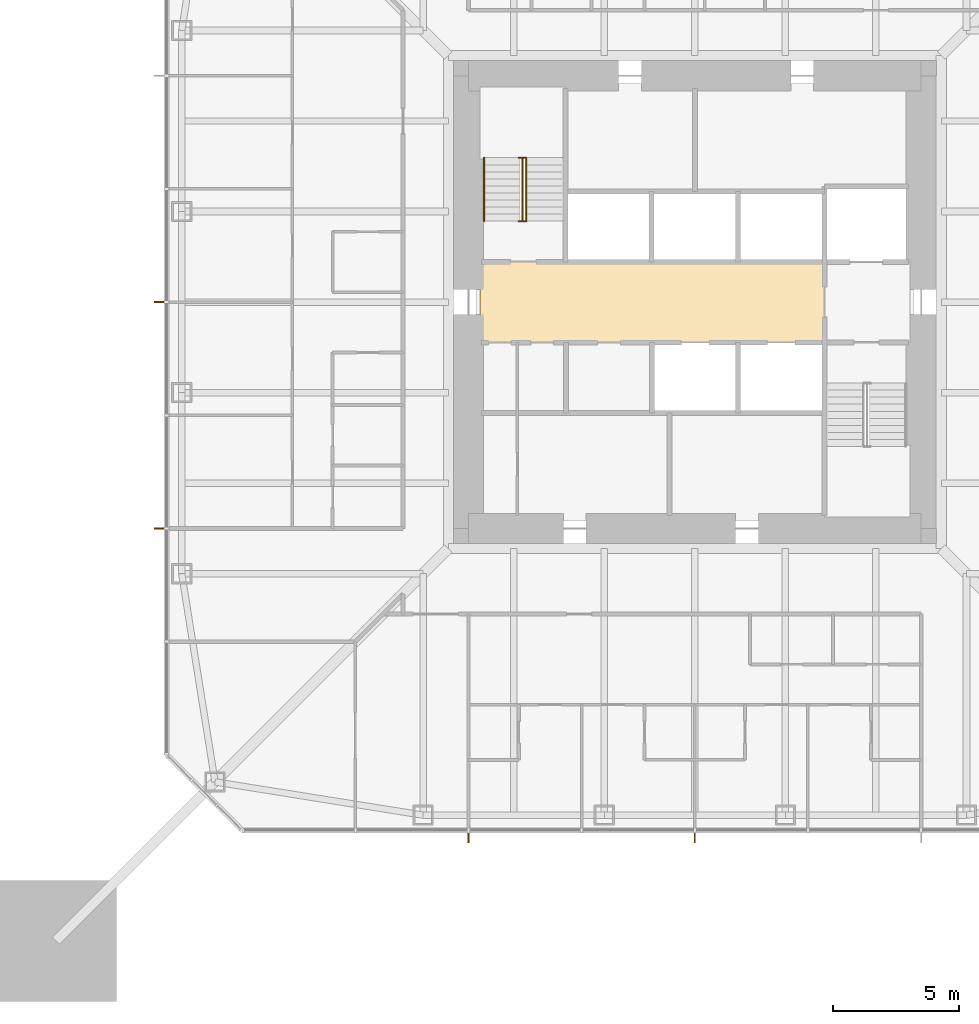
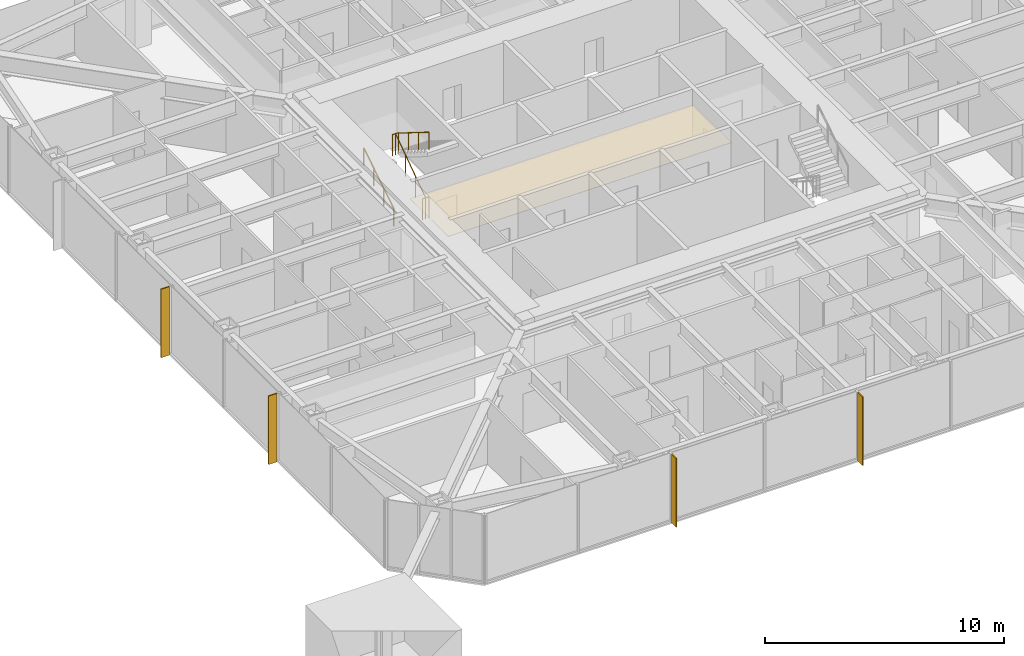
# One storey, part 21 of 25: 4 shading devices, 3 railings, 1 covering.
"""IFC4 building model written with IfcOpenShell, lengths in metres."""

from ifc_helpers import new_model, si_unit, direction, frame, origin, origin_2d, place, context, subcontext, project, spatial, polyline, rectangle, circle, outline, extrude, material, layer, layer_set, constituent, constituent_set, type_object, element, save


model = new_model("IFC4")

# Units and contexts
model_context = context("Model", 3, precision=1e-05, world=origin(), true_north=direction((0.0, 1.0)))
body_context = subcontext(model_context, "Body", "Model", "MODEL_VIEW")
ifc_project = project(units=[si_unit("LENGTHUNIT", "METRE"), si_unit("AREAUNIT", "SQUARE_METRE"), si_unit("VOLUMEUNIT", "CUBIC_METRE"), si_unit("PLANEANGLEUNIT", "RADIAN"), si_unit("MASSUNIT", "GRAM", prefix="KILO")], contexts=[model_context])

# Site, building, storey
site_placement = place(None, origin())
site = spatial("IfcSite", under=ifc_project, at=site_placement, CompositionType="ELEMENT")
building_placement = place(site_placement, origin())
building = spatial("IfcBuilding", under=site, at=building_placement, Name="Iwan Alto Co-Living Towers", CompositionType="ELEMENT")
storey_placement = place(building_placement, frame((0.0, 0.0, 84.0)))
storey = spatial("IfcBuildingStorey", under=building, at=storey_placement, Name="L22", CompositionType="ELEMENT", Elevation=84.0)

# Covering
ifc_material_1 = material(Name="Mineral fibre acoustic tiles on steel grid", Category="steel")
ifc_layer_1 = layer(ifc_material_1, 0.02001953125)
ifc_layer_set_1 = layer_set([ifc_layer_1], Name="ACOUSTIC TILE CEILING 20")
covering_type = type_object("IfcCoveringType", Name="ACOUSTIC TILE CEILING 20", PredefinedType="CEILING", material=ifc_layer_set_1)
covering_placement = place(storey_placement, frame((0.0, 0.0, 2.60009765625)))
element("IfcCovering", 1, at=covering_placement, inside=storey, type_object=covering_type, Name="Ceiling Lift lobby L22", PredefinedType="CEILING", context=body_context, shape_type="SweptSolid", body=[
    extrude(outline(polyline([(-8.550048828125, -1.60009765625), (-8.550048828125, 1.60009765625), (5.14990234375, 1.60009765625), (5.14990234375, -1.60009765625), (-8.550048828125, -1.60009765625)])), origin(), (0.0, 0.0, 1.0), 0.02001953125),
])

# Shading devices
ifc_material_2 = material(Name="Aluminium 6063-T6 bronze anodised", Category="aluminium")
ifc_layer_2 = layer(ifc_material_2, 0.050048828125)
ifc_layer_set_2 = layer_set([ifc_layer_2], Name="BRONZE FIN 50X400")
shading_device_type = type_object("IfcShadingDeviceType", Name="BRONZE FIN 50X400", PredefinedType="USERDEFINED", material=ifc_layer_set_2)
for number, where, z_axis, x_axis, name in (
    (2, (-9.0, -21.300048828125, 0.0), (0.0, 0.0, 1.0), (1.0, 0.0, 0.0), "Bronze fin L22"),
    (3, (0.0, -21.300048828125, 0.0), (0.0, 0.0, 1.0), (1.0, 0.0, 0.0), "Bronze fin L22"),
    (4, (-21.300048828125, 0.0, 0.0), (0.0, 0.0, 1.0), (0.0, -1.0, 0.0), "Bronze fin L22"),
    (5, (-21.300048828125, -9.0, 0.0), (0.0, 0.0, 1.0), (0.0, -1.0, 0.0), "Bronze fin L22"),
):
    element("IfcShadingDevice", number, at=place(storey_placement, frame(where, z_axis=z_axis, x_axis=x_axis)), inside=storey, type_object=shading_device_type, Name=name, ObjectType="LOUVER", PredefinedType="USERDEFINED", context=body_context, shape_type="SweptSolid", body=[
        extrude(rectangle(XDim=0.050048828125, YDim=0.39990234375, at=origin_2d()), origin(), (0.0, 0.0, 1.0), 3.5),
    ])

# Railings
ifc_material_3 = material(Name="Steel ASTM A500 Gr C", Category="steel")
ifc_constituent_1 = constituent(ifc_material_3, Name="Rails and posts", Category="Framing")
ifc_material_4 = material(Name="Steel ASTM A36", Category="steel")
ifc_constituent_2 = constituent(ifc_material_4, Name="Bar infill", Category="Infill")
ifc_constituent_set = constituent_set(constituents=[ifc_constituent_1, ifc_constituent_2], Name="STAIR GUARD 1100")
railing_type_1 = type_object("IfcRailingType", Name="STAIR GUARD 1100", PredefinedType="GUARDRAIL", material=ifc_constituent_set)
railing_1_placement = place(storey_placement, frame((-6.85009765625, 3.219970703125, 0.0)))
element("IfcRailing", 6, at=railing_1_placement, inside=storey, type_object=railing_type_1, Name="Stair T1-S1 well guard L22", PredefinedType="GUARDRAIL", context=body_context, shape_type="SweptSolid", body=[
    extrude(circle(Radius=0.02392578125, at=origin_2d()), frame((0.0, 0.0, 1.076171875), z_axis=(0.0, 0.821372036852, 0.570392826987), x_axis=(-1.0, 0.0, 0.0)), (0.0, 0.0, 1.0), 3.068115234375),
    extrude(circle(Radius=0.02392578125, at=origin_2d()), frame((-0.14990234375, 0.0, 1.076171875), z_axis=(1.0, 0.0, 0.0), x_axis=(0.0, 1.0, 0.0)), (0.0, 0.0, 1.0), 0.300048828125),
    extrude(circle(Radius=0.02392578125, at=origin_2d()), frame((-0.14990234375, 2.52001953125, 2.826171875), z_axis=(1.0, 0.0, 0.0), x_axis=(0.0, 1.0, 0.0)), (0.0, 0.0, 1.0), 0.300048828125),
    extrude(circle(Radius=0.02099609375, at=origin_2d()), origin(), (0.0, 0.0, 1.0), 1.052001953125),
    extrude(circle(Radius=0.02099609375, at=origin_2d()), frame((0.0, 0.840087890625, 0.583251953125)), (0.0, 0.0, 1.0), 1.052001953125),
    extrude(circle(Radius=0.02099609375, at=origin_2d()), frame((0.0, 1.679931640625, 1.166748046875)), (0.0, 0.0, 1.0), 1.052001953125),
    extrude(circle(Radius=0.02099609375, at=origin_2d()), frame((0.0, 2.52001953125, 1.75)), (0.0, 0.0, 1.0), 1.052001953125),
    extrude(circle(Radius=0.02099609375, at=origin_2d()), frame((-0.14990234375, 0.0, 0.0)), (0.0, 0.0, 1.0), 1.052001953125),
    extrude(circle(Radius=0.02099609375, at=origin_2d()), frame((0.150146484375, 0.0, 0.0)), (0.0, 0.0, 1.0), 1.052001953125),
    extrude(circle(Radius=0.02099609375, at=origin_2d()), frame((-0.14990234375, 2.52001953125, 1.75)), (0.0, 0.0, 1.0), 1.052001953125),
    extrude(circle(Radius=0.02099609375, at=origin_2d()), frame((0.150146484375, 2.52001953125, 1.75)), (0.0, 0.0, 1.0), 1.052001953125),
])
ifc_material_5 = material(Name="Steel ASTM A500 Gr C", Category="steel")
railing_type_2 = type_object("IfcRailingType", Name="STAIR HANDRAIL 900", PredefinedType="HANDRAIL", material=ifc_material_5)
railing_2_placement = place(storey_placement, frame((-8.3798828125, 3.219970703125, 0.175048828125)))
element("IfcRailing", 7, at=railing_2_placement, inside=storey, type_object=railing_type_2, Name="Stair T1-S1 handrail 1 L22", PredefinedType="HANDRAIL", context=body_context, shape_type="SweptSolid", body=[
    extrude(circle(Radius=0.02392578125, at=origin_2d()), frame((0.0, 0.0, 0.8759765625), z_axis=(0.0, 0.848007534815, 0.529984170421), x_axis=(-1.0, 0.0, 0.0)), (0.0, 0.0, 1.0), 2.9716796875),
    extrude(circle(Radius=0.02099609375, at=origin_2d()), origin(), (0.0, 0.0, 1.0), 0.851806640625),
    extrude(circle(Radius=0.02099609375, at=origin_2d()), frame((0.0, 0.840087890625, 0.52490234375)), (0.0, 0.0, 1.0), 0.851806640625),
    extrude(circle(Radius=0.02099609375, at=origin_2d()), frame((0.0, 1.679931640625, 1.050048828125)), (0.0, 0.0, 1.0), 0.851806640625),
    extrude(circle(Radius=0.02099609375, at=origin_2d()), frame((0.0, 2.52001953125, 1.574951171875)), (0.0, 0.0, 1.0), 0.851806640625),
])
railing_3_placement = place(storey_placement, frame((-6.699951171875, 5.739990234375, 1.925048828125)))
element("IfcRailing", 8, at=railing_3_placement, inside=storey, type_object=railing_type_2, Name="Stair T1-S1 handrail 2 L22", PredefinedType="HANDRAIL", context=body_context, shape_type="SweptSolid", body=[
    extrude(circle(Radius=0.02392578125, at=origin_2d()), frame((0.0, 0.0, 0.8759765625), z_axis=(0.0, -0.848007534815, 0.529984170421), x_axis=(1.0, 0.0, 0.0)), (0.0, 0.0, 1.0), 2.9716796875),
    extrude(circle(Radius=0.02099609375, at=origin_2d()), origin(), (0.0, 0.0, 1.0), 0.851806640625),
    extrude(circle(Radius=0.02099609375, at=origin_2d()), frame((0.0, -0.840087890625, 0.52490234375)), (0.0, 0.0, 1.0), 0.851806640625),
    extrude(circle(Radius=0.02099609375, at=origin_2d()), frame((0.0, -1.679931640625, 1.050048828125)), (0.0, 0.0, 1.0), 0.851806640625),
    extrude(circle(Radius=0.02099609375, at=origin_2d()), frame((0.0, -2.52001953125, 1.574951171875)), (0.0, 0.0, 1.0), 0.851806640625),
])

save(model, "model.ifc")
